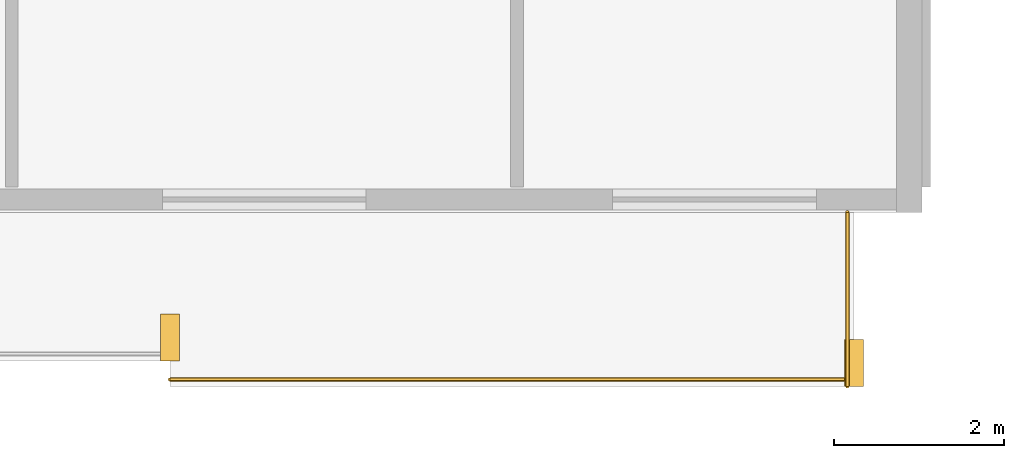
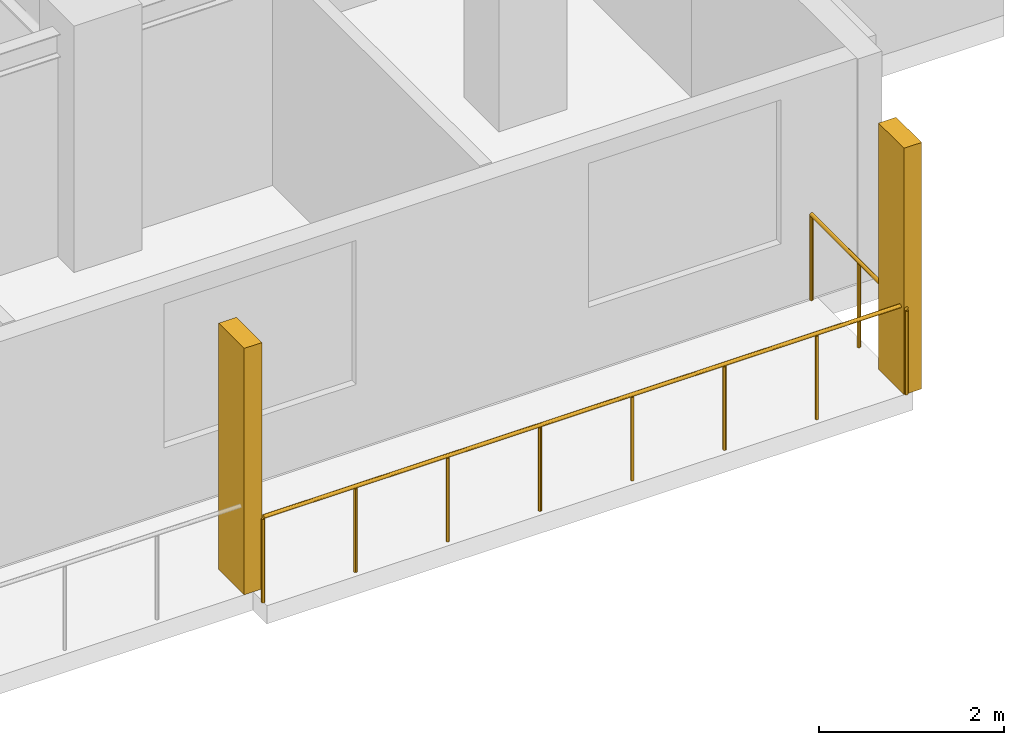
# One storey, part 19 of 21: 2 railings, 2 shading devices.
"""IFC4 building model written with IfcOpenShell, lengths in metres."""

from ifc_helpers import new_model, si_unit, direction, frame, origin, origin_2d, place, context, subcontext, project, spatial, rectangle, circle, extrude, material, type_object, element, save


model = new_model("IFC4")

# Units and contexts
model_context = context("Model", 3, precision=1e-05, world=origin(), true_north=direction((0.0, 1.0)))
body_context = subcontext(model_context, "Body", "Model", "MODEL_VIEW")
ifc_project = project(units=[si_unit("LENGTHUNIT", "METRE"), si_unit("AREAUNIT", "SQUARE_METRE"), si_unit("VOLUMEUNIT", "CUBIC_METRE"), si_unit("PLANEANGLEUNIT", "RADIAN"), si_unit("MASSUNIT", "GRAM", prefix="KILO")], contexts=[model_context])

# Site, building, storey
site_placement = place(None, origin())
site = spatial("IfcSite", under=ifc_project, at=site_placement, CompositionType="ELEMENT")
building_placement = place(site_placement, origin())
building = spatial("IfcBuilding", under=site, at=building_placement, Name="Korimba Cascade Residences", CompositionType="ELEMENT")
storey_placement = place(building_placement, frame((0.0, 0.0, 103.550048828125)))
storey = spatial("IfcBuildingStorey", under=building, at=storey_placement, Name="L29", CompositionType="ELEMENT", Elevation=103.550048828125)

# Railings
ifc_material_1 = material(Name="Laminated Glass and Bronze Balustrade", Category="glass")
railing_type = type_object("IfcRailingType", Name="RLG-LOG-1150", PredefinedType="BALUSTRADE", material=ifc_material_1)
railing_1_placement = place(storey_placement, frame((121.843017578125, -10.969970703125, 0.0)))
element("IfcRailing", 1, at=railing_1_placement, inside=storey, type_object=railing_type, Name="L29 Perimeter Guardrail RLG-L29-T2-LOG-06", PredefinedType="BALUSTRADE", context=body_context, shape_type="SweptSolid", body=[
    extrude(circle(Radius=0.02392578125, at=origin_2d()), frame((0.0, 0.0, 1.1259765625), z_axis=(1.0, 0.0, 0.0), x_axis=(0.0, 1.0, 0.0)), (0.0, 0.0, 1.0), 8.056884765625),
    extrude(circle(Radius=0.02099609375, at=origin_2d()), origin(), (0.0, 0.0, 1.0), 1.101806640625),
    extrude(circle(Radius=0.02099609375, at=origin_2d()), frame((1.15087890625, 0.0, 0.0)), (0.0, 0.0, 1.0), 1.101806640625),
    extrude(circle(Radius=0.02099609375, at=origin_2d()), frame((2.302001953125, 0.0, 0.0)), (0.0, 0.0, 1.0), 1.101806640625),
    extrude(circle(Radius=0.02099609375, at=origin_2d()), frame((3.452880859375, 0.0, 0.0)), (0.0, 0.0, 1.0), 1.101806640625),
    extrude(circle(Radius=0.02099609375, at=origin_2d()), frame((4.60400390625, 0.0, 0.0)), (0.0, 0.0, 1.0), 1.101806640625),
    extrude(circle(Radius=0.02099609375, at=origin_2d()), frame((5.7548828125, 0.0, 0.0)), (0.0, 0.0, 1.0), 1.101806640625),
    extrude(circle(Radius=0.02099609375, at=origin_2d()), frame((6.906005859375, 0.0, 0.0)), (0.0, 0.0, 1.0), 1.101806640625),
    extrude(circle(Radius=0.02099609375, at=origin_2d()), frame((8.056884765625, 0.0, 0.0)), (0.0, 0.0, 1.0), 1.101806640625),
])
railing_2_placement = place(storey_placement, frame((129.820068359375, -11.050048828125, 0.0)))
element("IfcRailing", 2, at=railing_2_placement, inside=storey, type_object=railing_type, Name="L29 Perimeter Guardrail RLG-L29-T2-LOG-07", PredefinedType="BALUSTRADE", context=body_context, shape_type="SweptSolid", body=[
    extrude(circle(Radius=0.02392578125, at=origin_2d()), frame((0.0, 0.0, 1.1259765625), z_axis=(0.0, 1.0, 0.0), x_axis=(-1.0, 0.0, 0.0)), (0.0, 0.0, 1.0), 2.050048828125),
    extrude(circle(Radius=0.02099609375, at=origin_2d()), origin(), (0.0, 0.0, 1.0), 1.101806640625),
    extrude(circle(Radius=0.02099609375, at=origin_2d()), frame((0.0, 1.02490234375, 0.0)), (0.0, 0.0, 1.0), 1.101806640625),
    extrude(circle(Radius=0.02099609375, at=origin_2d()), frame((0.0, 2.050048828125, 0.0)), (0.0, 0.0, 1.0), 1.101806640625),
])

# Shading devices
ifc_material_2 = material(Name="Honed Sandstone Precast Fin", Category="masonry")
shading_device_type = type_object("IfcShadingDeviceType", Name="SHD-FIN-550", PredefinedType="USERDEFINED", material=ifc_material_2)
for number, where, z_axis, x_axis, name in (
    (3, (121.843017578125, -10.47509765625, 0.0), (0.0, 0.0, 1.0), (1.0, 0.0, 0.0), "L29 T2 Warm-Stone Loggia Fin 7"),
    (4, (129.89990234375, -10.77490234375, 0.0), (0.0, 0.0, 1.0), (1.0, 0.0, 0.0), "L29 T2 Warm-Stone Loggia Fin 8"),
):
    element("IfcShadingDevice", number, at=place(storey_placement, frame(where, z_axis=z_axis, x_axis=x_axis)), inside=storey, type_object=shading_device_type, Name=name, ObjectType="FIN", PredefinedType="USERDEFINED", context=body_context, shape_type="SweptSolid", body=[
        extrude(rectangle(XDim=0.219970703125, YDim=0.550048828125, at=origin_2d()), origin(), (0.0, 0.0, 1.0), 3.25),
    ])

save(model, "model.ifc")
